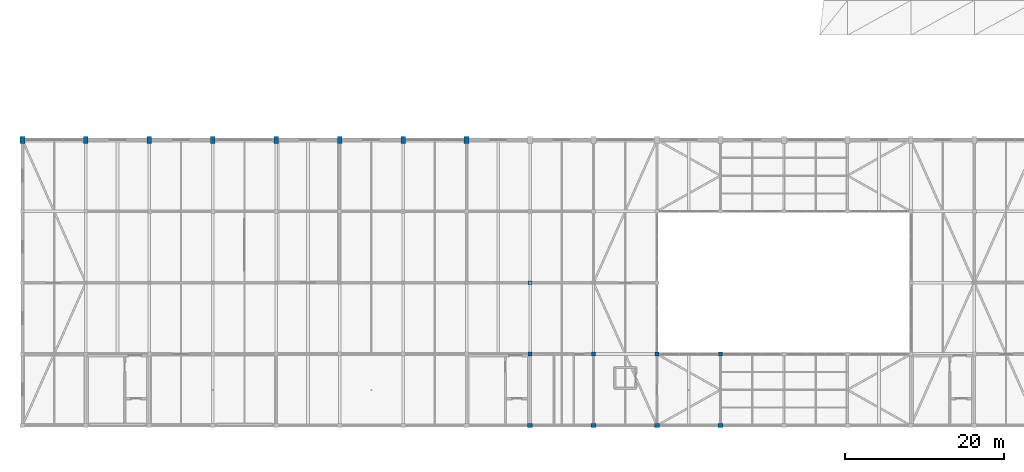
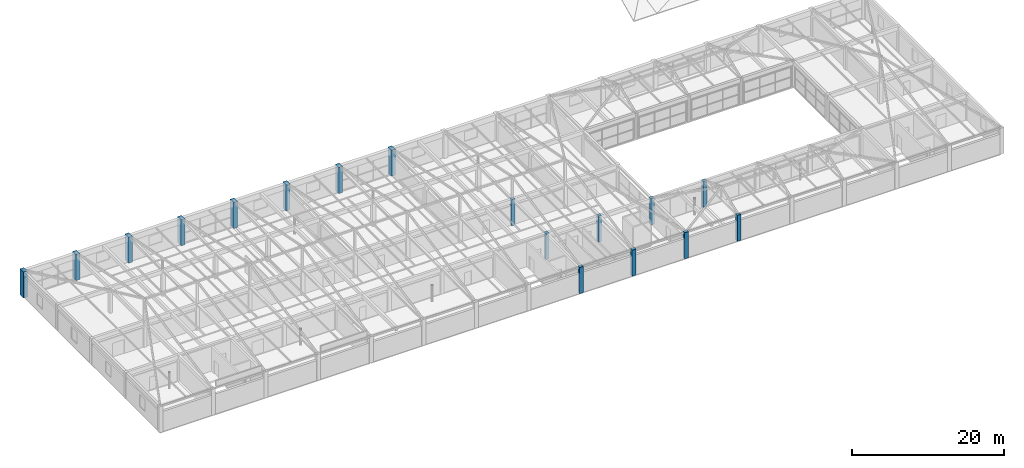
# One storey, part 5 of 65: 17 columns.
"""IFC4 building model written with IfcOpenShell, lengths in metres."""

from ifc_helpers import new_model, si_unit, direction, frame, origin, origin_2d, place, context, subcontext, project, spatial, rectangle, extrude, material, material_profile, profile_set, type_object, element, save


model = new_model("IFC4")

# Units and contexts
model_context = context("Model", 3, precision=1e-05, world=origin(), true_north=direction((0.0, 1.0)))
body_context = subcontext(model_context, "Body", "Model", "MODEL_VIEW")
ifc_project = project(units=[si_unit("LENGTHUNIT", "METRE"), si_unit("AREAUNIT", "SQUARE_METRE"), si_unit("VOLUMEUNIT", "CUBIC_METRE"), si_unit("PLANEANGLEUNIT", "RADIAN"), si_unit("MASSUNIT", "GRAM", prefix="KILO")], contexts=[model_context])

# Site, building, storey
site_placement = place(None, origin())
site = spatial("IfcSite", under=ifc_project, at=site_placement, CompositionType="ELEMENT")
building_placement = place(site_placement, origin())
building = spatial("IfcBuilding", under=site, at=building_placement, Name="Varnabhumi Central Station", CompositionType="ELEMENT")
storey_placement = place(building_placement, frame((0.0, 0.0, 24.60009765625)))
storey = spatial("IfcBuildingStorey", under=building, at=storey_placement, Name="L05", CompositionType="ELEMENT", Elevation=24.60009765625)

# Columns
ifc_material = material(Name="Concrete M40", Category="concrete")
ifc_material_profile_1 = material_profile(ifc_material, rectangle(XDim=0.60009765625, YDim=0.449951171875, at=origin_2d()), Name="Concrete M40", Category="concrete")
ifc_profile_set_1 = profile_set([ifc_material_profile_1], Name="Concrete M40")
column_type_1 = type_object("IfcColumnType", Name="COL-RC-600x450", PredefinedType="PILASTER", material=ifc_profile_set_1)
for number, where, z_axis, x_axis, name in (
    (1, (96.0, 0.0, 0.0), (0.0, 0.0, 1.0), (1.0, 0.0, 0.0), "Column L05-13A"),
    (2, (104.0, 0.0, 0.0), (0.0, 0.0, 1.0), (1.0, 0.0, 0.0), "Column L05-14A"),
    (3, (112.0, 0.0, 0.0), (0.0, 0.0, 1.0), (1.0, 0.0, 0.0), "Column L05-15A"),
    (4, (120.0, 0.0, 0.0), (0.0, 0.0, 1.0), (1.0, 0.0, 0.0), "Column L05-16A"),
):
    element("IfcColumn", number, at=place(storey_placement, frame(where, z_axis=z_axis, x_axis=x_axis)), inside=storey, type_object=column_type_1, Name=name, PredefinedType="PILASTER", context=body_context, shape_type="SweptSolid", body=[
        extrude(rectangle(XDim=0.60009765625, YDim=0.449951171875, at=origin_2d()), origin(), (0.0, 0.0, 1.0), 4.199951171875),
    ])
ifc_material_profile_2 = material_profile(ifc_material, rectangle(XDim=0.60009765625, YDim=0.89990234375, at=origin_2d()), Name="Concrete M40", Category="concrete")
ifc_profile_set_2 = profile_set([ifc_material_profile_2], Name="Concrete M40")
column_type_2 = type_object("IfcColumnType", Name="COL-SPINE-M40-900x600", PredefinedType="COLUMN", material=ifc_profile_set_2)
for number, where, z_axis, x_axis, name in (
    (5, (32.0, 36.0, 0.0), (0.0, 0.0, 1.0), (1.0, 0.0, 0.0), "Column L05-5E"),
    (6, (40.0, 36.0, 0.0), (0.0, 0.0, 1.0), (1.0, 0.0, 0.0), "Column L05-6E"),
    (7, (48.0, 36.0, 0.0), (0.0, 0.0, 1.0), (1.0, 0.0, 0.0), "Column L05-7E"),
    (8, (56.0, 36.0, 0.0), (0.0, 0.0, 1.0), (1.0, 0.0, 0.0), "Column L05-8E"),
    (9, (64.0, 36.0, 0.0), (0.0, 0.0, 1.0), (1.0, 0.0, 0.0), "Column L05-9E"),
    (10, (72.0, 36.0, 0.0), (0.0, 0.0, 1.0), (1.0, 0.0, 0.0), "Column L05-10E"),
    (11, (80.0, 36.0, 0.0), (0.0, 0.0, 1.0), (1.0, 0.0, 0.0), "Column L05-11E"),
    (12, (88.0, 36.0, 0.0), (0.0, 0.0, 1.0), (1.0, 0.0, 0.0), "Column L05-12E"),
):
    element("IfcColumn", number, at=place(storey_placement, frame(where, z_axis=z_axis, x_axis=x_axis)), inside=storey, type_object=column_type_2, Name=name, PredefinedType="COLUMN", context=body_context, shape_type="SweptSolid", body=[
        extrude(rectangle(XDim=0.60009765625, YDim=0.89990234375, at=origin_2d()), origin(), (0.0, 0.0, 1.0), 4.199951171875),
    ])
ifc_material_profile_3 = material_profile(ifc_material, rectangle(XDim=0.5, YDim=0.5, at=origin_2d()), Name="Concrete M40", Category="concrete")
ifc_profile_set_3 = profile_set([ifc_material_profile_3], Name="Concrete M40")
column_type_3 = type_object("IfcColumnType", Name="COL-UPPER-500", PredefinedType="COLUMN", material=ifc_profile_set_3)
for number, where, z_axis, x_axis, name in (
    (13, (96.0, 9.0, 0.0), (0.0, 0.0, 1.0), (1.0, 0.0, 0.0), "Column L05-13B"),
    (14, (96.0, 18.0, 0.0), (0.0, 0.0, 1.0), (1.0, 0.0, 0.0), "Column L05-13C"),
    (15, (104.0, 9.0, 0.0), (0.0, 0.0, 1.0), (1.0, 0.0, 0.0), "Column L05-14B"),
    (16, (112.0, 9.0, 0.0), (0.0, 0.0, 1.0), (1.0, 0.0, 0.0), "Column L05-15B"),
    (17, (120.0, 9.0, 0.0), (0.0, 0.0, 1.0), (1.0, 0.0, 0.0), "Column L05-16B"),
):
    element("IfcColumn", number, at=place(storey_placement, frame(where, z_axis=z_axis, x_axis=x_axis)), inside=storey, type_object=column_type_3, Name=name, PredefinedType="COLUMN", context=body_context, shape_type="SweptSolid", body=[
        extrude(rectangle(XDim=0.5, YDim=0.5, at=origin_2d()), origin(), (0.0, 0.0, 1.0), 4.199951171875),
    ])

save(model, "model.ifc")
